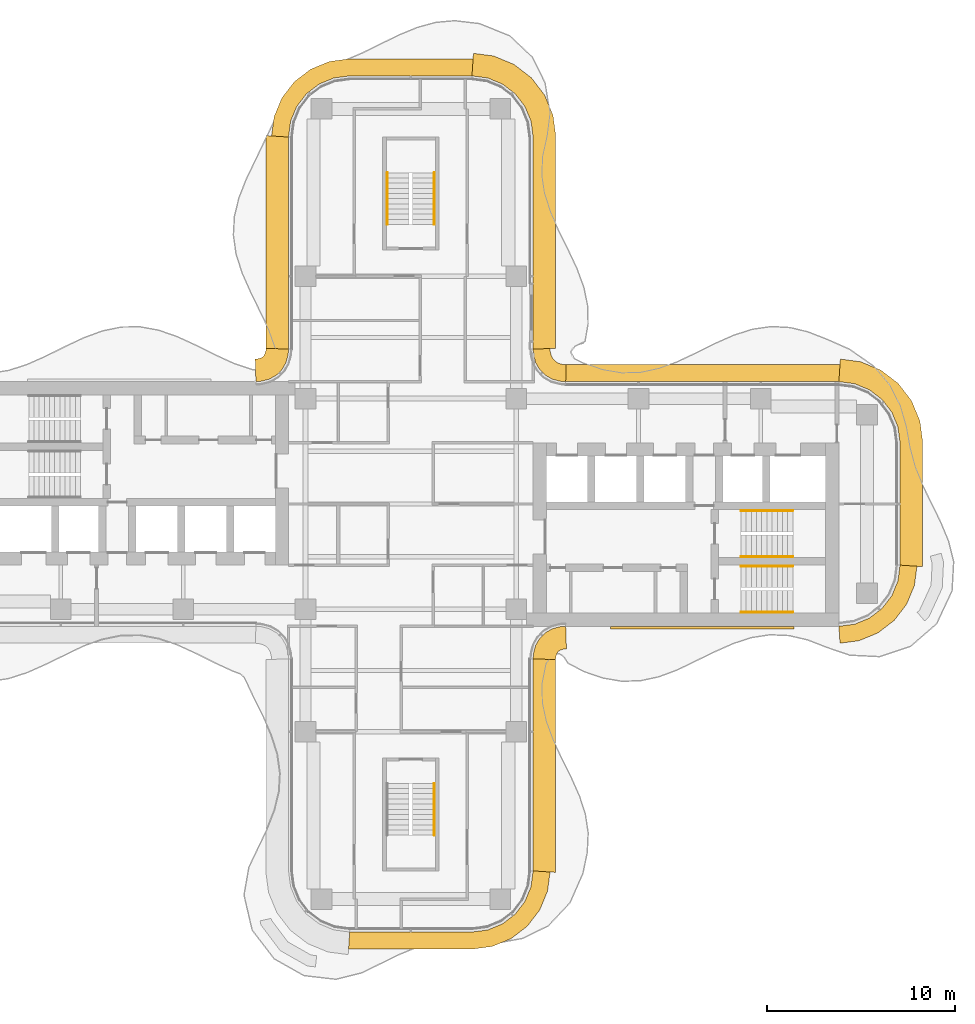
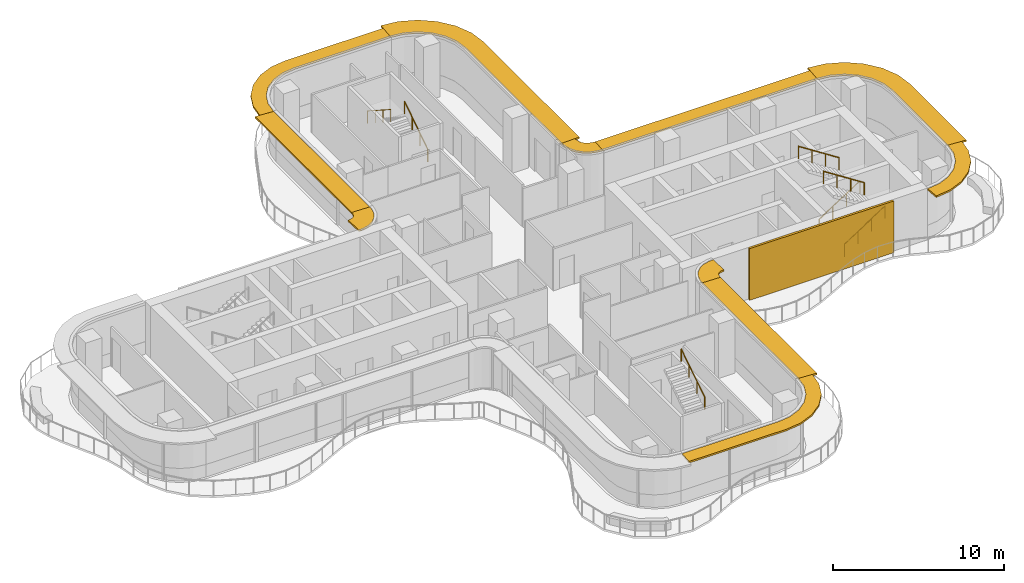
# One storey, part 17 of 17: 11 shading devices, 7 railings, 1 covering.
"""IFC4 building model written with IfcOpenShell, lengths in metres."""

from ifc_helpers import new_model, si_unit, direction, frame, origin, origin_2d, place, context, subcontext, project, spatial, polyline, circle, outline, extrude, source, transform, mapped, material, layer, layer_set, type_object, element, save


model = new_model("IFC4")

# Units and contexts
model_context = context("Model", 3, precision=1e-05, world=origin(), true_north=direction((0.0, 1.0)))
body_context = subcontext(model_context, "Body", "Model", "MODEL_VIEW")
ifc_project = project(units=[si_unit("LENGTHUNIT", "METRE"), si_unit("AREAUNIT", "SQUARE_METRE"), si_unit("VOLUMEUNIT", "CUBIC_METRE"), si_unit("PLANEANGLEUNIT", "RADIAN"), si_unit("MASSUNIT", "GRAM", prefix="KILO")], contexts=[model_context])

# Site, building, storey
site_placement = place(None, origin())
site = spatial("IfcSite", under=ifc_project, at=site_placement, CompositionType="ELEMENT")
building_placement = place(site_placement, origin())
building = spatial("IfcBuilding", under=site, at=building_placement, Name="Trellis Farm Tower", CompositionType="ELEMENT")
storey_placement = place(building_placement, frame((0.0, 0.0, 259.699951171875)))
storey = spatial("IfcBuildingStorey", under=building, at=storey_placement, Name="L58", CompositionType="ELEMENT", Elevation=259.699951171875)

# Railings
ifc_material_1 = material(Name="Stainless steel", Category="steel")
railing_type = type_object("IfcRailingType", Name="STAIR HANDRAIL 900", PredefinedType="HANDRAIL", material=ifc_material_1)
shared_shape_1 = source(origin(), body_context, "Body", "SweptSolid", [
    extrude(circle(Radius=0.02392578125, at=origin_2d()), frame((0.0, 0.0, 0.8759765625), z_axis=(0.0, 0.840503830235, 0.541805602924), x_axis=(-1.0, 0.0, 0.0)), (0.0, 0.0, 1.0), 3.271728515625),
    extrude(circle(Radius=0.02099609375, at=origin_2d()), origin(), (0.0, 0.0, 1.0), 0.851806640625),
    extrude(circle(Radius=0.02099609375, at=origin_2d()), frame((0.0, 0.916748046875, 0.5908203125)), (0.0, 0.0, 1.0), 0.851806640625),
    extrude(circle(Radius=0.02099609375, at=origin_2d()), frame((0.0, 1.833251953125, 1.181884765625)), (0.0, 0.0, 1.0), 0.851806640625),
    extrude(circle(Radius=0.02099609375, at=origin_2d()), frame((0.0, 2.75, 1.772705078125)), (0.0, 0.0, 1.0), 0.851806640625),
])
for number, where, name in (
    (1, (1.25, 14.85009765625, 0.17724609375), "Stair handrail"),
    (2, (1.25, -17.60009765625, 2.12744140625), "Stair handrail"),
):
    element("IfcRailing", number, at=place(storey_placement, frame(where)), inside=storey, type_object=railing_type, Name=name, PredefinedType="HANDRAIL", context=body_context, shape_type="MappedRepresentation", body=[
        mapped(shared_shape_1, transform((0.0, 0.0, 0.0))),
    ])
shared_shape_2 = source(origin(), body_context, "Body", "SweptSolid", [
    extrude(circle(Radius=0.02392578125, at=origin_2d()), frame((0.0, 0.0, 0.8759765625), z_axis=(0.0, -0.840503830235, 0.541805602924), x_axis=(1.0, 0.0, 0.0)), (0.0, 0.0, 1.0), 3.271728515625),
    extrude(circle(Radius=0.02099609375, at=origin_2d()), origin(), (0.0, 0.0, 1.0), 0.851806640625),
    extrude(circle(Radius=0.02099609375, at=origin_2d()), frame((0.0, -0.916748046875, 0.5908203125)), (0.0, 0.0, 1.0), 0.851806640625),
    extrude(circle(Radius=0.02099609375, at=origin_2d()), frame((0.0, -1.833251953125, 1.181884765625)), (0.0, 0.0, 1.0), 0.851806640625),
    extrude(circle(Radius=0.02099609375, at=origin_2d()), frame((0.0, -2.75, 1.772705078125)), (0.0, 0.0, 1.0), 0.851806640625),
])
railing_placement = place(storey_placement, frame((-1.25, 17.60009765625, 2.12744140625)))
element("IfcRailing", 3, at=railing_placement, inside=storey, type_object=railing_type, Name="Stair handrail", PredefinedType="HANDRAIL", context=body_context, shape_type="MappedRepresentation", body=[
    mapped(shared_shape_2, transform((0.0, 0.0, 0.0))),
])
shared_shape_3 = source(origin(), body_context, "Body", "SweptSolid", [
    extrude(circle(Radius=0.02392578125, at=origin_2d()), frame((0.0, 0.0, 0.8759765625), z_axis=(0.840503830235, 0.0, 0.541805602924), x_axis=(0.0, 1.0, 0.0)), (0.0, 0.0, 1.0), 3.271728515625),
    extrude(circle(Radius=0.02099609375, at=origin_2d()), origin(), (0.0, 0.0, 1.0), 0.851806640625),
    extrude(circle(Radius=0.02099609375, at=origin_2d()), frame((0.916748046875, 0.0, 0.5908203125)), (0.0, 0.0, 1.0), 0.851806640625),
    extrude(circle(Radius=0.02099609375, at=origin_2d()), frame((1.833251953125, 0.0, 1.181884765625)), (0.0, 0.0, 1.0), 0.851806640625),
    extrude(circle(Radius=0.02099609375, at=origin_2d()), frame((2.75, 0.0, 1.772705078125)), (0.0, 0.0, 1.0), 0.851806640625),
])
for number, where, name in (
    (4, (17.550048828125, -5.75, 0.17724609375), "Stair handrail"),
    (5, (17.550048828125, -2.800048828125, 0.17724609375), "Stair handrail"),
):
    element("IfcRailing", number, at=place(storey_placement, frame(where)), inside=storey, type_object=railing_type, Name=name, PredefinedType="HANDRAIL", context=body_context, shape_type="MappedRepresentation", body=[
        mapped(shared_shape_3, transform((0.0, 0.0, 0.0))),
    ])
shared_shape_4 = source(origin(), body_context, "Body", "SweptSolid", [
    extrude(circle(Radius=0.02392578125, at=origin_2d()), frame((0.0, 0.0, 0.8759765625), z_axis=(-0.840503830235, 0.0, 0.541805602924), x_axis=(0.0, -1.0, 0.0)), (0.0, 0.0, 1.0), 3.271728515625),
    extrude(circle(Radius=0.02099609375, at=origin_2d()), origin(), (0.0, 0.0, 1.0), 0.851806640625),
    extrude(circle(Radius=0.02099609375, at=origin_2d()), frame((-0.916748046875, 0.0, 0.5908203125)), (0.0, 0.0, 1.0), 0.851806640625),
    extrude(circle(Radius=0.02099609375, at=origin_2d()), frame((-1.833251953125, 0.0, 1.181884765625)), (0.0, 0.0, 1.0), 0.851806640625),
    extrude(circle(Radius=0.02099609375, at=origin_2d()), frame((-2.75, 0.0, 1.772705078125)), (0.0, 0.0, 1.0), 0.851806640625),
])
for number, where, name in (
    (6, (20.300048828125, -3.300048828125, 2.12744140625), "Stair handrail"),
    (7, (20.300048828125, -0.35009765625, 2.12744140625), "Stair handrail"),
):
    element("IfcRailing", number, at=place(storey_placement, frame(where)), inside=storey, type_object=railing_type, Name=name, PredefinedType="HANDRAIL", context=body_context, shape_type="MappedRepresentation", body=[
        mapped(shared_shape_4, transform((0.0, 0.0, 0.0))),
    ])

# Shading devices
ifc_material_2 = material(Name="Aluminium extrusion 6063-T6", Category="aluminium")
ifc_layer_1 = layer(ifc_material_2, 0.1201171875)
ifc_layer_set_1 = layer_set([ifc_layer_1], Name="SUNSHADE BLADE 1200")
shading_device_type_1 = type_object("IfcShadingDeviceType", Name="SUNSHADE BLADE 1200", PredefinedType="USERDEFINED", material=ifc_layer_set_1)
shared_shape_5 = source(origin(), body_context, "Body", "SweptSolid", [
    extrude(outline(polyline([(7.699951171875, -8.270751953125), (7.708740234375, -8.13720703125), (7.70703125, -8.150146484375), (7.7548828125, -7.9716796875), (7.80712890625, -7.881103515625), (7.881103515625, -7.80712890625), (7.9716796875, -7.7548828125), (8.150146484375, -7.70703125), (8.13720703125, -7.708740234375), (8.270751953125, -7.699951171875), (8.2314453125, -6.5), (8.01953125, -6.513916015625), (7.91552734375, -6.527587890625), (7.508544921875, -6.63671875), (7.144287109375, -6.846923828125), (6.846923828125, -7.144287109375), (6.63671875, -7.508544921875), (6.527587890625, -7.91552734375), (6.513916015625, -8.01953125), (6.5, -8.2314453125), (7.699951171875, -8.270751953125)])), origin(), (0.0, 0.0, 1.0), 0.1201171875),
])
placement = place(storey_placement, frame((0.0, 0.0, 3.5400390625)))
element("IfcShadingDevice", 8, at=placement, inside=storey, type_object=shading_device_type_1, Name="SD2 006", ObjectType="SUNSHADE", PredefinedType="USERDEFINED", context=body_context, shape_type="MappedRepresentation", body=[
    mapped(shared_shape_5, transform((0.0, 0.0, 0.0))),
])
ifc_layer_2 = layer(ifc_material_2, 0.1201171875)
ifc_layer_set_2 = layer_set([ifc_layer_2], Name="SUNSHADE BLADE 900")
shading_device_type_2 = type_object("IfcShadingDeviceType", Name="SUNSHADE BLADE 900", PredefinedType="USERDEFINED", material=ifc_layer_set_2)
shared_shape_6 = source(origin(), body_context, "Body", "SweptSolid", [
    extrude(outline(polyline([(8.2607421875, 7.39990234375), (8.107666015625, 7.409912109375), (8.091552734375, 7.412109375), (7.85595703125, 7.475341796875), (7.697021484375, 7.567138671875), (7.567138671875, 7.697021484375), (7.475341796875, 7.85595703125), (7.412109375, 8.091552734375), (7.409912109375, 8.107666015625), (7.39990234375, 8.2607421875), (6.5, 8.2314453125), (6.513916015625, 8.01953125), (6.527587890625, 7.91552734375), (6.63671875, 7.508544921875), (6.846923828125, 7.144287109375), (7.144287109375, 6.846923828125), (7.508544921875, 6.63671875), (7.91552734375, 6.527587890625), (8.01953125, 6.513916015625), (8.2314453125, 6.5), (8.2607421875, 7.39990234375)])), origin(), (0.0, 0.0, 1.0), 0.1201171875),
])
element("IfcShadingDevice", 9, at=placement, inside=storey, type_object=shading_device_type_2, Name="SD1 010", ObjectType="SUNSHADE", PredefinedType="USERDEFINED", context=body_context, shape_type="MappedRepresentation", body=[
    mapped(shared_shape_6, transform((0.0, 0.0, 0.0))),
])
shared_shape_7 = source(origin(), body_context, "Body", "SweptSolid", [
    extrude(outline(polyline([(-7.699951171875, 8.270751953125), (-7.708740234375, 8.13720703125), (-7.70703125, 8.150146484375), (-7.7548828125, 7.9716796875), (-7.80712890625, 7.881103515625), (-7.881103515625, 7.80712890625), (-7.9716796875, 7.7548828125), (-8.150146484375, 7.70703125), (-8.13720703125, 7.708740234375), (-8.270751953125, 7.699951171875), (-8.2314453125, 6.5), (-8.01953125, 6.513916015625), (-7.91552734375, 6.527587890625), (-7.508544921875, 6.63671875), (-7.144287109375, 6.846923828125), (-6.846923828125, 7.144287109375), (-6.63671875, 7.508544921875), (-6.527587890625, 7.91552734375), (-6.513916015625, 8.01953125), (-6.5, 8.2314453125), (-7.699951171875, 8.270751953125)])), origin(), (0.0, 0.0, 1.0), 0.1201171875),
])
element("IfcShadingDevice", 10, at=placement, inside=storey, type_object=shading_device_type_1, Name="SD2 014", ObjectType="SUNSHADE", PredefinedType="USERDEFINED", context=body_context, shape_type="MappedRepresentation", body=[
    mapped(shared_shape_7, transform((0.0, 0.0, 0.0))),
])
shared_shape_8 = source(origin(), body_context, "Body", "SweptSolid", [
    extrude(outline(polyline([(7.699951171875, 8.270751953125), (7.699951171875, 19.57861328125), (7.558349609375, 20.654541015625), (7.11279296875, 21.730224609375), (6.404052734375, 22.654052734375), (5.480224609375, 23.36279296875), (4.404541015625, 23.808349609375), (3.32861328125, 23.949951171875), (3.25, 22.75), (4.091064453125, 22.63916015625), (4.875, 22.314697265625), (5.548095703125, 21.798095703125), (6.064697265625, 21.125), (6.38916015625, 20.341064453125), (6.5, 19.5), (6.5, 8.2314453125), (7.699951171875, 8.270751953125)])), origin(), (0.0, 0.0, 1.0), 0.1201171875),
])
element("IfcShadingDevice", 11, at=placement, inside=storey, type_object=shading_device_type_1, Name="SD2 011", ObjectType="SUNSHADE", PredefinedType="USERDEFINED", context=body_context, shape_type="MappedRepresentation", body=[
    mapped(shared_shape_8, transform((0.0, 0.0, 0.0))),
])
shared_shape_9 = source(origin(), body_context, "Body", "SweptSolid", [
    extrude(outline(polyline([(3.30908203125, 23.64990234375), (-3.30908203125, 23.64990234375), (-4.326171875, 23.51611328125), (-5.328857421875, 23.100830078125), (-6.18994140625, 22.43994140625), (-6.850830078125, 21.578857421875), (-7.26611328125, 20.576171875), (-7.39990234375, 19.55908203125), (-6.5, 19.5), (-6.38916015625, 20.341064453125), (-6.064697265625, 21.125), (-5.548095703125, 21.798095703125), (-4.875, 22.314697265625), (-4.091064453125, 22.63916015625), (-3.25, 22.75), (3.25, 22.75), (3.30908203125, 23.64990234375)])), origin(), (0.0, 0.0, 1.0), 0.1201171875),
])
element("IfcShadingDevice", 12, at=placement, inside=storey, type_object=shading_device_type_2, Name="SD1 012", ObjectType="SUNSHADE", PredefinedType="USERDEFINED", context=body_context, shape_type="MappedRepresentation", body=[
    mapped(shared_shape_9, transform((0.0, 0.0, 0.0))),
])
shared_shape_10 = source(origin(), body_context, "Body", "SweptSolid", [
    extrude(outline(polyline([(-7.699951171875, 19.57861328125), (-7.699951171875, 8.270751953125), (-6.5, 8.2314453125), (-6.5, 19.5), (-7.699951171875, 19.57861328125)])), origin(), (0.0, 0.0, 1.0), 0.1201171875),
])
element("IfcShadingDevice", 13, at=placement, inside=storey, type_object=shading_device_type_1, Name="SD2 013", ObjectType="SUNSHADE", PredefinedType="USERDEFINED", context=body_context, shape_type="MappedRepresentation", body=[
    mapped(shared_shape_10, transform((0.0, 0.0, 0.0))),
])
shared_shape_11 = source(origin(), body_context, "Body", "SweptSolid", [
    extrude(outline(polyline([(22.80908203125, -7.39990234375), (23.826171875, -7.26611328125), (24.828857421875, -6.850830078125), (25.68994140625, -6.18994140625), (26.350830078125, -5.328857421875), (26.76611328125, -4.326171875), (26.89990234375, -3.30908203125), (26.0, -3.25), (25.88916015625, -4.091064453125), (25.564697265625, -4.875), (25.048095703125, -5.548095703125), (24.375, -6.064697265625), (23.591064453125, -6.38916015625), (22.75, -6.5), (22.80908203125, -7.39990234375)])), origin(), (0.0, 0.0, 1.0), 0.1201171875),
])
element("IfcShadingDevice", 14, at=placement, inside=storey, type_object=shading_device_type_2, Name="SD1 007", ObjectType="SUNSHADE", PredefinedType="USERDEFINED", context=body_context, shape_type="MappedRepresentation", body=[
    mapped(shared_shape_11, transform((0.0, 0.0, 0.0))),
])
shared_shape_12 = source(origin(), body_context, "Body", "SweptSolid", [
    extrude(outline(polyline([(27.199951171875, -3.32861328125), (27.199951171875, 3.32861328125), (27.058349609375, 4.404541015625), (26.61279296875, 5.480224609375), (25.904052734375, 6.404052734375), (24.980224609375, 7.11279296875), (23.904541015625, 7.558349609375), (22.82861328125, 7.699951171875), (22.75, 6.5), (23.591064453125, 6.38916015625), (24.375, 6.064697265625), (25.048095703125, 5.548095703125), (25.564697265625, 4.875), (25.88916015625, 4.091064453125), (26.0, 3.25), (26.0, -3.25), (27.199951171875, -3.32861328125)])), origin(), (0.0, 0.0, 1.0), 0.1201171875),
])
element("IfcShadingDevice", 15, at=placement, inside=storey, type_object=shading_device_type_1, Name="SD2 008", ObjectType="SUNSHADE", PredefinedType="USERDEFINED", context=body_context, shape_type="MappedRepresentation", body=[
    mapped(shared_shape_12, transform((0.0, 0.0, 0.0))),
])
shared_shape_13 = source(origin(), body_context, "Body", "SweptSolid", [
    extrude(outline(polyline([(22.80908203125, 7.39990234375), (8.2607421875, 7.39990234375), (8.2314453125, 6.5), (22.75, 6.5), (22.80908203125, 7.39990234375)])), origin(), (0.0, 0.0, 1.0), 0.1201171875),
])
element("IfcShadingDevice", 16, at=placement, inside=storey, type_object=shading_device_type_2, Name="SD1 009", ObjectType="SUNSHADE", PredefinedType="USERDEFINED", context=body_context, shape_type="MappedRepresentation", body=[
    mapped(shared_shape_13, transform((0.0, 0.0, 0.0))),
])

# Covering
ifc_material_3 = material(Name="Perforated precast screen (cobogo)", Category="concrete")
ifc_layer_3 = layer(ifc_material_3, 0.14990234375)
ifc_layer_set_3 = layer_set([ifc_layer_3], Name="COBOGO SCREEN PANEL")
covering_type = type_object("IfcCoveringType", Name="COBOGO SCREEN PANEL", PredefinedType="USERDEFINED", material=ifc_layer_set_3)
shared_shape_14 = source(origin(), body_context, "Body", "SweptSolid", [
    extrude(outline(polyline([(10.61572265625, -6.64990234375), (20.36572265625, -6.64990234375), (20.36572265625, -6.5), (10.61572265625, -6.5), (10.61572265625, -6.64990234375)])), origin(), (0.0, 0.0, 1.0), 3.699951171875),
])
covering_placement = place(storey_placement, origin())
element("IfcCovering", 17, at=covering_placement, inside=storey, type_object=covering_type, Name="SC1 01", ObjectType="SCREEN", PredefinedType="USERDEFINED", context=body_context, shape_type="MappedRepresentation", body=[
    mapped(shared_shape_14, transform((0.0, 0.0, 0.0))),
])

# Shading devices
shared_shape_15 = source(origin(), body_context, "Body", "SweptSolid", [
    extrude(outline(polyline([(-3.30908203125, -23.64990234375), (3.30908203125, -23.64990234375), (4.326171875, -23.51611328125), (5.328857421875, -23.100830078125), (6.18994140625, -22.43994140625), (6.850830078125, -21.578857421875), (7.26611328125, -20.576171875), (7.39990234375, -19.55908203125), (6.5, -19.5), (6.38916015625, -20.341064453125), (6.064697265625, -21.125), (5.548095703125, -21.798095703125), (4.875, -22.314697265625), (4.091064453125, -22.63916015625), (3.25, -22.75), (-3.25, -22.75), (-3.30908203125, -23.64990234375)])), origin(), (0.0, 0.0, 1.0), 0.1201171875),
])
element("IfcShadingDevice", 18, at=placement, inside=storey, type_object=shading_device_type_2, Name="SD1 004", ObjectType="SUNSHADE", PredefinedType="USERDEFINED", context=body_context, shape_type="MappedRepresentation", body=[
    mapped(shared_shape_15, transform((0.0, 0.0, 0.0))),
])
shared_shape_16 = source(origin(), body_context, "Body", "SweptSolid", [
    extrude(outline(polyline([(7.699951171875, -19.57861328125), (7.699951171875, -8.270751953125), (6.5, -8.2314453125), (6.5, -19.5), (7.699951171875, -19.57861328125)])), origin(), (0.0, 0.0, 1.0), 0.1201171875),
])
element("IfcShadingDevice", 19, at=placement, inside=storey, type_object=shading_device_type_1, Name="SD2 005", ObjectType="SUNSHADE", PredefinedType="USERDEFINED", context=body_context, shape_type="MappedRepresentation", body=[
    mapped(shared_shape_16, transform((0.0, 0.0, 0.0))),
])

save(model, "model.ifc")
